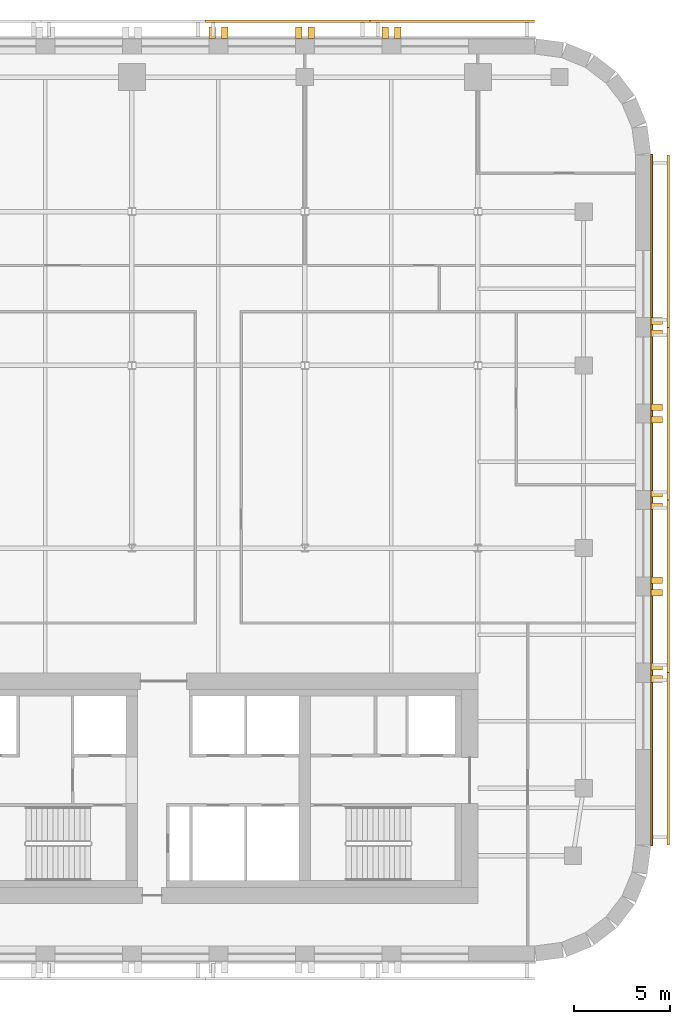
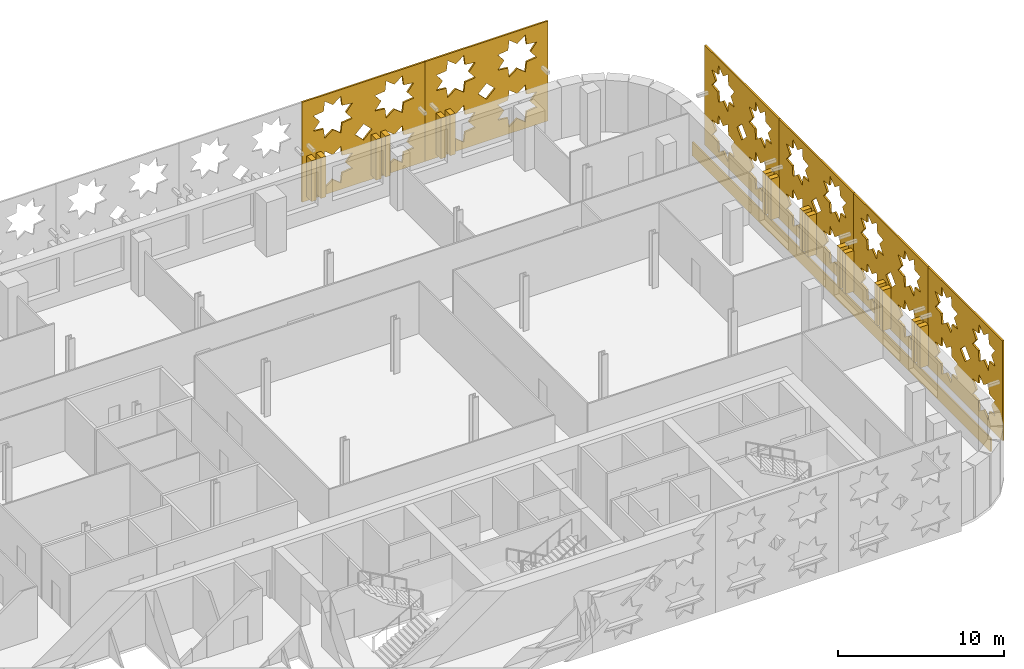
# One storey, part 13 of 13: 23 coverings.
"""IFC4 building model written with IfcOpenShell, lengths in metres."""

from ifc_helpers import new_model, si_unit, direction, frame, origin, place, context, subcontext, project, spatial, polyline, outline, extrude, material, layer, layer_set, type_object, element, save


model = new_model("IFC4")

# Units and contexts
model_context = context("Model", 3, precision=1e-05, world=origin(), true_north=direction((0.0, 1.0)))
body_context = subcontext(model_context, "Body", "Model", "MODEL_VIEW")
ifc_project = project(units=[si_unit("LENGTHUNIT", "METRE"), si_unit("AREAUNIT", "SQUARE_METRE"), si_unit("VOLUMEUNIT", "CUBIC_METRE"), si_unit("PLANEANGLEUNIT", "RADIAN"), si_unit("MASSUNIT", "GRAM", prefix="KILO")], contexts=[model_context])

# Site, building, storey
site_placement = place(None, origin())
site = spatial("IfcSite", under=ifc_project, at=site_placement, CompositionType="ELEMENT")
building_placement = place(site_placement, origin())
building = spatial("IfcBuilding", under=site, at=building_placement, Name="Zellij Exchange Tower", CompositionType="ELEMENT")
storey_placement = place(building_placement, frame((0.0, 0.0, 172.5)))
storey = spatial("IfcBuildingStorey", under=building, at=storey_placement, Name="L39", CompositionType="ELEMENT", Elevation=172.5)

# Coverings
ifc_material_1 = material(Name="Limestone cladding", Category="masonry")
covering_type_1 = type_object("IfcCoveringType", Name="ENV-CV3 Stone pier 350x600", PredefinedType="CLADDING", material=ifc_material_1)
covering_1_placement = place(storey_placement, frame((0.0, 0.0, 0.800048828125)))
element("IfcCovering", 1, at=covering_1_placement, inside=storey, type_object=covering_type_1, Name="Stone pier", PredefinedType="CLADDING", context=body_context, shape_type="SweptSolid", body=[
    extrude(outline(polyline([(36.0, -2.48681640625), (36.0, -2.136962890625), (36.60009765625, -2.136962890625), (36.60009765625, -2.48681640625), (36.0, -2.48681640625)])), origin(), (0.0, 0.0, 1.0), 3.0),
])
covering_2_placement = place(storey_placement, frame((0.0, 0.0, 0.800048828125)))
element("IfcCovering", 2, at=covering_2_placement, inside=storey, type_object=covering_type_1, Name="Stone pier", PredefinedType="CLADDING", context=body_context, shape_type="SweptSolid", body=[
    extrude(outline(polyline([(36.0, -1.8369140625), (36.0, -1.48681640625), (36.60009765625, -1.48681640625), (36.60009765625, -1.8369140625), (36.0, -1.8369140625)])), origin(), (0.0, 0.0, 1.0), 3.0),
])
covering_3_placement = place(storey_placement, frame((0.0, 0.0, 0.800048828125)))
element("IfcCovering", 3, at=covering_3_placement, inside=storey, type_object=covering_type_1, Name="Stone pier", PredefinedType="CLADDING", context=body_context, shape_type="SweptSolid", body=[
    extrude(outline(polyline([(36.0, 2.006591796875), (36.0, 2.3564453125), (36.60009765625, 2.3564453125), (36.60009765625, 2.006591796875), (36.0, 2.006591796875)])), origin(), (0.0, 0.0, 1.0), 3.0),
])
covering_4_placement = place(storey_placement, frame((0.0, 0.0, 0.800048828125)))
element("IfcCovering", 4, at=covering_4_placement, inside=storey, type_object=covering_type_1, Name="Stone pier", PredefinedType="CLADDING", context=body_context, shape_type="SweptSolid", body=[
    extrude(outline(polyline([(36.0, 2.656494140625), (36.0, 3.006591796875), (36.60009765625, 3.006591796875), (36.60009765625, 2.656494140625), (36.0, 2.656494140625)])), origin(), (0.0, 0.0, 1.0), 3.0),
])
covering_5_placement = place(storey_placement, frame((0.0, 0.0, 0.800048828125)))
element("IfcCovering", 5, at=covering_5_placement, inside=storey, type_object=covering_type_1, Name="Stone pier", PredefinedType="CLADDING", context=body_context, shape_type="SweptSolid", body=[
    extrude(outline(polyline([(36.0, 6.5), (36.0, 6.85009765625), (36.60009765625, 6.85009765625), (36.60009765625, 6.5), (36.0, 6.5)])), origin(), (0.0, 0.0, 1.0), 3.0),
])
covering_6_placement = place(storey_placement, frame((0.0, 0.0, 0.800048828125)))
element("IfcCovering", 6, at=covering_6_placement, inside=storey, type_object=covering_type_1, Name="Stone pier", PredefinedType="CLADDING", context=body_context, shape_type="SweptSolid", body=[
    extrude(outline(polyline([(36.0, 7.14990234375), (36.0, 7.5), (36.60009765625, 7.5), (36.60009765625, 7.14990234375), (36.0, 7.14990234375)])), origin(), (0.0, 0.0, 1.0), 3.0),
])
covering_7_placement = place(storey_placement, frame((0.0, 0.0, 0.800048828125)))
element("IfcCovering", 7, at=covering_7_placement, inside=storey, type_object=covering_type_1, Name="Stone pier", PredefinedType="CLADDING", context=body_context, shape_type="SweptSolid", body=[
    extrude(outline(polyline([(36.0, 10.993408203125), (36.0, 11.343505859375), (36.60009765625, 11.343505859375), (36.60009765625, 10.993408203125), (36.0, 10.993408203125)])), origin(), (0.0, 0.0, 1.0), 3.0),
])
covering_8_placement = place(storey_placement, frame((0.0, 0.0, 0.800048828125)))
element("IfcCovering", 8, at=covering_8_placement, inside=storey, type_object=covering_type_1, Name="Stone pier", PredefinedType="CLADDING", context=body_context, shape_type="SweptSolid", body=[
    extrude(outline(polyline([(36.0, 11.643310546875), (36.0, 11.993408203125), (36.60009765625, 11.993408203125), (36.60009765625, 11.643310546875), (36.0, 11.643310546875)])), origin(), (0.0, 0.0, 1.0), 3.0),
])
covering_9_placement = place(storey_placement, frame((0.0, 0.0, 0.800048828125)))
element("IfcCovering", 9, at=covering_9_placement, inside=storey, type_object=covering_type_1, Name="Stone pier", PredefinedType="CLADDING", context=body_context, shape_type="SweptSolid", body=[
    extrude(outline(polyline([(36.0, 15.48681640625), (36.0, 15.8369140625), (36.60009765625, 15.8369140625), (36.60009765625, 15.48681640625), (36.0, 15.48681640625)])), origin(), (0.0, 0.0, 1.0), 3.0),
])
covering_10_placement = place(storey_placement, frame((0.0, 0.0, 0.800048828125)))
element("IfcCovering", 10, at=covering_10_placement, inside=storey, type_object=covering_type_1, Name="Stone pier", PredefinedType="CLADDING", context=body_context, shape_type="SweptSolid", body=[
    extrude(outline(polyline([(36.0, 16.136962890625), (36.0, 16.48681640625), (36.60009765625, 16.48681640625), (36.60009765625, 16.136962890625), (36.0, 16.136962890625)])), origin(), (0.0, 0.0, 1.0), 3.0),
])
covering_11_placement = place(storey_placement, frame((0.0, 0.0, 0.800048828125)))
element("IfcCovering", 11, at=covering_11_placement, inside=storey, type_object=covering_type_1, Name="Stone pier", PredefinedType="CLADDING", context=body_context, shape_type="SweptSolid", body=[
    extrude(outline(polyline([(23.0, 31.0), (22.64990234375, 31.0), (22.64990234375, 31.60009765625), (23.0, 31.60009765625), (23.0, 31.0)])), origin(), (0.0, 0.0, 1.0), 3.0),
])
covering_12_placement = place(storey_placement, frame((0.0, 0.0, 0.800048828125)))
element("IfcCovering", 12, at=covering_12_placement, inside=storey, type_object=covering_type_1, Name="Stone pier", PredefinedType="CLADDING", context=body_context, shape_type="SweptSolid", body=[
    extrude(outline(polyline([(22.35009765625, 31.0), (22.0, 31.0), (22.0, 31.60009765625), (22.35009765625, 31.60009765625), (22.35009765625, 31.0)])), origin(), (0.0, 0.0, 1.0), 3.0),
])
covering_13_placement = place(storey_placement, frame((0.0, 0.0, 0.800048828125)))
element("IfcCovering", 13, at=covering_13_placement, inside=storey, type_object=covering_type_1, Name="Stone pier", PredefinedType="CLADDING", context=body_context, shape_type="SweptSolid", body=[
    extrude(outline(polyline([(18.5, 31.0), (18.14990234375, 31.0), (18.14990234375, 31.60009765625), (18.5, 31.60009765625), (18.5, 31.0)])), origin(), (0.0, 0.0, 1.0), 3.0),
])
covering_14_placement = place(storey_placement, frame((0.0, 0.0, 0.800048828125)))
element("IfcCovering", 14, at=covering_14_placement, inside=storey, type_object=covering_type_1, Name="Stone pier", PredefinedType="CLADDING", context=body_context, shape_type="SweptSolid", body=[
    extrude(outline(polyline([(17.85009765625, 31.0), (17.5, 31.0), (17.5, 31.60009765625), (17.85009765625, 31.60009765625), (17.85009765625, 31.0)])), origin(), (0.0, 0.0, 1.0), 3.0),
])
covering_15_placement = place(storey_placement, frame((0.0, 0.0, 0.800048828125)))
element("IfcCovering", 15, at=covering_15_placement, inside=storey, type_object=covering_type_1, Name="Stone pier", PredefinedType="CLADDING", context=body_context, shape_type="SweptSolid", body=[
    extrude(outline(polyline([(14.0, 31.0), (13.64990234375, 31.0), (13.64990234375, 31.60009765625), (14.0, 31.60009765625), (14.0, 31.0)])), origin(), (0.0, 0.0, 1.0), 3.0),
])
covering_16_placement = place(storey_placement, frame((0.0, 0.0, 0.800048828125)))
element("IfcCovering", 16, at=covering_16_placement, inside=storey, type_object=covering_type_1, Name="Stone pier", PredefinedType="CLADDING", context=body_context, shape_type="SweptSolid", body=[
    extrude(outline(polyline([(13.35009765625, 31.0), (13.0, 31.0), (13.0, 31.60009765625), (13.35009765625, 31.60009765625), (13.35009765625, 31.0)])), origin(), (0.0, 0.0, 1.0), 3.0),
])
ifc_layer_1 = layer(ifc_material_1, 0.10009765625)
ifc_layer_set_1 = layer_set([ifc_layer_1], Name="Limestone cladding")
covering_type_2 = type_object("IfcCoveringType", Name="ENV-CV9 Stone spandrel band 100", PredefinedType="CLADDING", material=ifc_layer_set_1)
covering_17_placement = place(storey_placement, frame((0.0, 0.0, -0.199951171875)))
element("IfcCovering", 17, at=covering_17_placement, inside=storey, type_object=covering_type_2, Name="Stone spandrel band", PredefinedType="CLADDING", context=body_context, shape_type="SweptSolid", body=[
    extrude(outline(polyline([(36.0, -10.973876953125), (36.0, 24.973876953125), (36.10009765625, 24.980224609375), (36.10009765625, -10.980224609375), (36.0, -10.973876953125)])), origin(), (0.0, 0.0, 1.0), 1.0),
])
ifc_material_2 = material(Name="Limestone screen", Category="masonry")
ifc_layer_2 = layer(ifc_material_2, 0.1201171875)
ifc_layer_set_2 = layer_set([ifc_layer_2], Name="Limestone screen")
covering_type_3 = type_object("IfcCoveringType", Name="ENV-SC1 Pierced stone screen 120", PredefinedType="USERDEFINED", material=ifc_layer_set_2)
covering_18_placement = place(storey_placement, frame((29.947509765625, 31.909912109375, 0.300048828125), z_axis=(0.0, 0.0, 1.0), x_axis=(-1.0, 0.0, 0.0)))
element("IfcCovering", 18, at=covering_18_placement, inside=storey, type_object=covering_type_3, Name="Pierced stone screen", ObjectType="SCREEN", PredefinedType="USERDEFINED", context=body_context, shape_type="SweptSolid", body=[
    extrude(outline(polyline([(0.0, 0.0), (8.556396484375, 0.0), (8.556396484375, 7.35009765625), (0.0, 7.35009765625), (0.0, 0.0)]), holes=[polyline([(3.497314453125, 2.39990234375), (2.78369140625, 2.48193359375), (2.70166015625, 3.195556640625), (2.13916015625, 2.748779296875), (1.57666015625, 3.195556640625), (1.49462890625, 2.48193359375), (0.781005859375, 2.39990234375), (1.227783203125, 1.83740234375), (0.781005859375, 1.27490234375), (1.49462890625, 1.193115234375), (1.57666015625, 0.4794921875), (2.13916015625, 0.926025390625), (2.70166015625, 0.4794921875), (2.78369140625, 1.193115234375), (3.497314453125, 1.27490234375), (3.050537109375, 1.83740234375), (3.497314453125, 2.39990234375)]), polyline([(3.497314453125, 6.074951171875), (2.78369140625, 6.156982421875), (2.70166015625, 6.87060546875), (2.13916015625, 6.423828125), (1.57666015625, 6.87060546875), (1.49462890625, 6.156982421875), (0.781005859375, 6.074951171875), (1.227783203125, 5.512451171875), (0.781005859375, 4.949951171875), (1.49462890625, 4.867919921875), (1.57666015625, 4.154296875), (2.13916015625, 4.60107421875), (2.70166015625, 4.154296875), (2.78369140625, 4.867919921875), (3.497314453125, 4.949951171875), (3.050537109375, 5.512451171875), (3.497314453125, 6.074951171875)]), polyline([(7.775390625, 2.39990234375), (7.061767578125, 2.48193359375), (6.97998046875, 3.195556640625), (6.417236328125, 2.748779296875), (5.854736328125, 3.195556640625), (5.77294921875, 2.48193359375), (5.05908203125, 2.39990234375), (5.505859375, 1.83740234375), (5.05908203125, 1.27490234375), (5.77294921875, 1.193115234375), (5.854736328125, 0.4794921875), (6.417236328125, 0.926025390625), (6.97998046875, 0.4794921875), (7.061767578125, 1.193115234375), (7.775390625, 1.27490234375), (7.32861328125, 1.83740234375), (7.775390625, 2.39990234375)]), polyline([(7.775390625, 6.074951171875), (7.061767578125, 6.156982421875), (6.97998046875, 6.87060546875), (6.417236328125, 6.423828125), (5.854736328125, 6.87060546875), (5.77294921875, 6.156982421875), (5.05908203125, 6.074951171875), (5.505859375, 5.512451171875), (5.05908203125, 4.949951171875), (5.77294921875, 4.867919921875), (5.854736328125, 4.154296875), (6.417236328125, 4.60107421875), (6.97998046875, 4.154296875), (7.061767578125, 4.867919921875), (7.775390625, 4.949951171875), (7.32861328125, 5.512451171875), (7.775390625, 6.074951171875)]), polyline([(4.8662109375, 3.675048828125), (4.2783203125, 4.262939453125), (3.690185546875, 3.675048828125), (4.2783203125, 3.0869140625), (4.8662109375, 3.675048828125)])]), frame((0.0, 0.06005859375, 0.0), z_axis=(0.0, -1.0, 0.0), x_axis=(1.0, 0.0, 0.0)), (0.0, 0.0, 1.0), 0.1201171875),
])
covering_19_placement = place(storey_placement, frame((21.39111328125, 31.909912109375, 0.300048828125), z_axis=(0.0, 0.0, 1.0), x_axis=(-1.0, 0.0, 0.0)))
element("IfcCovering", 19, at=covering_19_placement, inside=storey, type_object=covering_type_3, Name="Pierced stone screen", ObjectType="SCREEN", PredefinedType="USERDEFINED", context=body_context, shape_type="SweptSolid", body=[
    extrude(outline(polyline([(0.0, 0.0), (8.556396484375, 0.0), (8.556396484375, 7.35009765625), (0.0, 7.35009765625), (0.0, 0.0)]), holes=[polyline([(3.497314453125, 2.39990234375), (2.78369140625, 2.48193359375), (2.70166015625, 3.195556640625), (2.13916015625, 2.748779296875), (1.57666015625, 3.195556640625), (1.49462890625, 2.48193359375), (0.781005859375, 2.39990234375), (1.227783203125, 1.83740234375), (0.781005859375, 1.27490234375), (1.49462890625, 1.193115234375), (1.57666015625, 0.4794921875), (2.13916015625, 0.926025390625), (2.70166015625, 0.4794921875), (2.78369140625, 1.193115234375), (3.497314453125, 1.27490234375), (3.050537109375, 1.83740234375), (3.497314453125, 2.39990234375)]), polyline([(3.497314453125, 6.074951171875), (2.78369140625, 6.156982421875), (2.70166015625, 6.87060546875), (2.13916015625, 6.423828125), (1.57666015625, 6.87060546875), (1.49462890625, 6.156982421875), (0.781005859375, 6.074951171875), (1.227783203125, 5.512451171875), (0.781005859375, 4.949951171875), (1.49462890625, 4.867919921875), (1.57666015625, 4.154296875), (2.13916015625, 4.60107421875), (2.70166015625, 4.154296875), (2.78369140625, 4.867919921875), (3.497314453125, 4.949951171875), (3.050537109375, 5.512451171875), (3.497314453125, 6.074951171875)]), polyline([(7.775390625, 2.39990234375), (7.061767578125, 2.48193359375), (6.97998046875, 3.195556640625), (6.417236328125, 2.748779296875), (5.854736328125, 3.195556640625), (5.77294921875, 2.48193359375), (5.05908203125, 2.39990234375), (5.505859375, 1.83740234375), (5.05908203125, 1.27490234375), (5.77294921875, 1.193115234375), (5.854736328125, 0.4794921875), (6.417236328125, 0.926025390625), (6.97998046875, 0.4794921875), (7.061767578125, 1.193115234375), (7.775390625, 1.27490234375), (7.32861328125, 1.83740234375), (7.775390625, 2.39990234375)]), polyline([(7.775390625, 6.074951171875), (7.061767578125, 6.156982421875), (6.97998046875, 6.87060546875), (6.417236328125, 6.423828125), (5.854736328125, 6.87060546875), (5.77294921875, 6.156982421875), (5.05908203125, 6.074951171875), (5.505859375, 5.512451171875), (5.05908203125, 4.949951171875), (5.77294921875, 4.867919921875), (5.854736328125, 4.154296875), (6.417236328125, 4.60107421875), (6.97998046875, 4.154296875), (7.061767578125, 4.867919921875), (7.775390625, 4.949951171875), (7.32861328125, 5.512451171875), (7.775390625, 6.074951171875)]), polyline([(4.8662109375, 3.675048828125), (4.2783203125, 4.262939453125), (3.690185546875, 3.675048828125), (4.2783203125, 3.0869140625), (4.8662109375, 3.675048828125)])]), frame((0.0, 0.06005859375, 0.0), z_axis=(0.0, -1.0, 0.0), x_axis=(1.0, 0.0, 0.0)), (0.0, 0.0, 1.0), 0.1201171875),
])
covering_20_placement = place(storey_placement, frame((36.909912109375, -10.947509765625, 0.300048828125), z_axis=(0.0, 0.0, 1.0), x_axis=(0.0, 1.0, 0.0)))
element("IfcCovering", 20, at=covering_20_placement, inside=storey, type_object=covering_type_3, Name="Pierced stone screen", ObjectType="SCREEN", PredefinedType="USERDEFINED", context=body_context, shape_type="SweptSolid", body=[
    extrude(outline(polyline([(0.0, 0.0), (8.973876953125, 0.0), (8.973876953125, 7.35009765625), (0.0, 7.35009765625), (0.0, 0.0)]), holes=[polyline([(3.6015625, 2.39990234375), (2.887939453125, 2.48193359375), (2.805908203125, 3.195556640625), (2.243408203125, 2.748779296875), (1.680908203125, 3.195556640625), (1.59912109375, 2.48193359375), (0.88525390625, 2.39990234375), (1.33203125, 1.83740234375), (0.88525390625, 1.27490234375), (1.59912109375, 1.193115234375), (1.680908203125, 0.4794921875), (2.243408203125, 0.926025390625), (2.805908203125, 0.4794921875), (2.887939453125, 1.193115234375), (3.6015625, 1.27490234375), (3.15478515625, 1.83740234375), (3.6015625, 2.39990234375)]), polyline([(3.6015625, 6.074951171875), (2.887939453125, 6.156982421875), (2.805908203125, 6.87060546875), (2.243408203125, 6.423828125), (1.680908203125, 6.87060546875), (1.59912109375, 6.156982421875), (0.88525390625, 6.074951171875), (1.33203125, 5.512451171875), (0.88525390625, 4.949951171875), (1.59912109375, 4.867919921875), (1.680908203125, 4.154296875), (2.243408203125, 4.60107421875), (2.805908203125, 4.154296875), (2.887939453125, 4.867919921875), (3.6015625, 4.949951171875), (3.15478515625, 5.512451171875), (3.6015625, 6.074951171875)]), polyline([(8.08837890625, 2.39990234375), (7.374755859375, 2.48193359375), (7.29296875, 3.195556640625), (6.730224609375, 2.748779296875), (6.167724609375, 3.195556640625), (6.0859375, 2.48193359375), (5.372314453125, 2.39990234375), (5.81884765625, 1.83740234375), (5.372314453125, 1.27490234375), (6.0859375, 1.193115234375), (6.167724609375, 0.4794921875), (6.730224609375, 0.926025390625), (7.29296875, 0.4794921875), (7.374755859375, 1.193115234375), (8.08837890625, 1.27490234375), (7.6416015625, 1.83740234375), (8.08837890625, 2.39990234375)]), polyline([(8.08837890625, 6.074951171875), (7.374755859375, 6.156982421875), (7.29296875, 6.87060546875), (6.730224609375, 6.423828125), (6.167724609375, 6.87060546875), (6.0859375, 6.156982421875), (5.372314453125, 6.074951171875), (5.81884765625, 5.512451171875), (5.372314453125, 4.949951171875), (6.0859375, 4.867919921875), (6.167724609375, 4.154296875), (6.730224609375, 4.60107421875), (7.29296875, 4.154296875), (7.374755859375, 4.867919921875), (8.08837890625, 4.949951171875), (7.6416015625, 5.512451171875), (8.08837890625, 6.074951171875)]), polyline([(5.074951171875, 3.675048828125), (4.48681640625, 4.262939453125), (3.89892578125, 3.675048828125), (4.48681640625, 3.0869140625), (5.074951171875, 3.675048828125)])]), frame((0.0, 0.06005859375, 0.0), z_axis=(0.0, -1.0, 0.0), x_axis=(1.0, 0.0, 0.0)), (0.0, 0.0, 1.0), 0.1201171875),
])
covering_21_placement = place(storey_placement, frame((36.909912109375, -1.973876953125, 0.300048828125), z_axis=(0.0, 0.0, 1.0), x_axis=(0.0, 1.0, 0.0)))
element("IfcCovering", 21, at=covering_21_placement, inside=storey, type_object=covering_type_3, Name="Pierced stone screen", ObjectType="SCREEN", PredefinedType="USERDEFINED", context=body_context, shape_type="SweptSolid", body=[
    extrude(outline(polyline([(0.0, 0.0), (8.973876953125, 0.0), (8.973876953125, 7.35009765625), (0.0, 7.35009765625), (0.0, 0.0)]), holes=[polyline([(3.6015625, 2.39990234375), (2.887939453125, 2.48193359375), (2.805908203125, 3.195556640625), (2.243408203125, 2.748779296875), (1.680908203125, 3.195556640625), (1.59912109375, 2.48193359375), (0.88525390625, 2.39990234375), (1.33203125, 1.83740234375), (0.88525390625, 1.27490234375), (1.59912109375, 1.193115234375), (1.680908203125, 0.4794921875), (2.243408203125, 0.926025390625), (2.805908203125, 0.4794921875), (2.887939453125, 1.193115234375), (3.6015625, 1.27490234375), (3.15478515625, 1.83740234375), (3.6015625, 2.39990234375)]), polyline([(3.6015625, 6.074951171875), (2.887939453125, 6.156982421875), (2.805908203125, 6.87060546875), (2.243408203125, 6.423828125), (1.680908203125, 6.87060546875), (1.59912109375, 6.156982421875), (0.88525390625, 6.074951171875), (1.33203125, 5.512451171875), (0.88525390625, 4.949951171875), (1.59912109375, 4.867919921875), (1.680908203125, 4.154296875), (2.243408203125, 4.60107421875), (2.805908203125, 4.154296875), (2.887939453125, 4.867919921875), (3.6015625, 4.949951171875), (3.15478515625, 5.512451171875), (3.6015625, 6.074951171875)]), polyline([(8.08837890625, 2.39990234375), (7.374755859375, 2.48193359375), (7.29296875, 3.195556640625), (6.730224609375, 2.748779296875), (6.167724609375, 3.195556640625), (6.0859375, 2.48193359375), (5.372314453125, 2.39990234375), (5.81884765625, 1.83740234375), (5.372314453125, 1.27490234375), (6.0859375, 1.193115234375), (6.167724609375, 0.4794921875), (6.730224609375, 0.926025390625), (7.29296875, 0.4794921875), (7.374755859375, 1.193115234375), (8.08837890625, 1.27490234375), (7.6416015625, 1.83740234375), (8.08837890625, 2.39990234375)]), polyline([(8.08837890625, 6.074951171875), (7.374755859375, 6.156982421875), (7.29296875, 6.87060546875), (6.730224609375, 6.423828125), (6.167724609375, 6.87060546875), (6.0859375, 6.156982421875), (5.372314453125, 6.074951171875), (5.81884765625, 5.512451171875), (5.372314453125, 4.949951171875), (6.0859375, 4.867919921875), (6.167724609375, 4.154296875), (6.730224609375, 4.60107421875), (7.29296875, 4.154296875), (7.374755859375, 4.867919921875), (8.08837890625, 4.949951171875), (7.6416015625, 5.512451171875), (8.08837890625, 6.074951171875)]), polyline([(5.074951171875, 3.675048828125), (4.48681640625, 4.262939453125), (3.89892578125, 3.675048828125), (4.48681640625, 3.0869140625), (5.074951171875, 3.675048828125)])]), frame((0.0, 0.06005859375, 0.0), z_axis=(0.0, -1.0, 0.0), x_axis=(1.0, 0.0, 0.0)), (0.0, 0.0, 1.0), 0.1201171875),
])
covering_22_placement = place(storey_placement, frame((36.909912109375, 7.0, 0.300048828125), z_axis=(0.0, 0.0, 1.0), x_axis=(0.0, 1.0, 0.0)))
element("IfcCovering", 22, at=covering_22_placement, inside=storey, type_object=covering_type_3, Name="Pierced stone screen", ObjectType="SCREEN", PredefinedType="USERDEFINED", context=body_context, shape_type="SweptSolid", body=[
    extrude(outline(polyline([(0.0, 0.0), (8.973876953125, 0.0), (8.973876953125, 7.35009765625), (0.0, 7.35009765625), (0.0, 0.0)]), holes=[polyline([(3.6015625, 2.39990234375), (2.887939453125, 2.48193359375), (2.805908203125, 3.195556640625), (2.243408203125, 2.748779296875), (1.680908203125, 3.195556640625), (1.59912109375, 2.48193359375), (0.88525390625, 2.39990234375), (1.33203125, 1.83740234375), (0.88525390625, 1.27490234375), (1.59912109375, 1.193115234375), (1.680908203125, 0.4794921875), (2.243408203125, 0.926025390625), (2.805908203125, 0.4794921875), (2.887939453125, 1.193115234375), (3.6015625, 1.27490234375), (3.15478515625, 1.83740234375), (3.6015625, 2.39990234375)]), polyline([(3.6015625, 6.074951171875), (2.887939453125, 6.156982421875), (2.805908203125, 6.87060546875), (2.243408203125, 6.423828125), (1.680908203125, 6.87060546875), (1.59912109375, 6.156982421875), (0.88525390625, 6.074951171875), (1.33203125, 5.512451171875), (0.88525390625, 4.949951171875), (1.59912109375, 4.867919921875), (1.680908203125, 4.154296875), (2.243408203125, 4.60107421875), (2.805908203125, 4.154296875), (2.887939453125, 4.867919921875), (3.6015625, 4.949951171875), (3.15478515625, 5.512451171875), (3.6015625, 6.074951171875)]), polyline([(8.08837890625, 2.39990234375), (7.374755859375, 2.48193359375), (7.29296875, 3.195556640625), (6.730224609375, 2.748779296875), (6.167724609375, 3.195556640625), (6.0859375, 2.48193359375), (5.372314453125, 2.39990234375), (5.81884765625, 1.83740234375), (5.372314453125, 1.27490234375), (6.0859375, 1.193115234375), (6.167724609375, 0.4794921875), (6.730224609375, 0.926025390625), (7.29296875, 0.4794921875), (7.374755859375, 1.193115234375), (8.08837890625, 1.27490234375), (7.6416015625, 1.83740234375), (8.08837890625, 2.39990234375)]), polyline([(8.08837890625, 6.074951171875), (7.374755859375, 6.156982421875), (7.29296875, 6.87060546875), (6.730224609375, 6.423828125), (6.167724609375, 6.87060546875), (6.0859375, 6.156982421875), (5.372314453125, 6.074951171875), (5.81884765625, 5.512451171875), (5.372314453125, 4.949951171875), (6.0859375, 4.867919921875), (6.167724609375, 4.154296875), (6.730224609375, 4.60107421875), (7.29296875, 4.154296875), (7.374755859375, 4.867919921875), (8.08837890625, 4.949951171875), (7.6416015625, 5.512451171875), (8.08837890625, 6.074951171875)]), polyline([(5.074951171875, 3.675048828125), (4.48681640625, 4.262939453125), (3.89892578125, 3.675048828125), (4.48681640625, 3.0869140625), (5.074951171875, 3.675048828125)])]), frame((0.0, 0.06005859375, 0.0), z_axis=(0.0, -1.0, 0.0), x_axis=(1.0, 0.0, 0.0)), (0.0, 0.0, 1.0), 0.1201171875),
])
covering_23_placement = place(storey_placement, frame((36.909912109375, 15.973876953125, 0.300048828125), z_axis=(0.0, 0.0, 1.0), x_axis=(0.0, 1.0, 0.0)))
element("IfcCovering", 23, at=covering_23_placement, inside=storey, type_object=covering_type_3, Name="Pierced stone screen", ObjectType="SCREEN", PredefinedType="USERDEFINED", context=body_context, shape_type="SweptSolid", body=[
    extrude(outline(polyline([(0.0, 0.0), (8.973876953125, 0.0), (8.973876953125, 7.35009765625), (0.0, 7.35009765625), (0.0, 0.0)]), holes=[polyline([(3.6015625, 2.39990234375), (2.887939453125, 2.48193359375), (2.805908203125, 3.195556640625), (2.243408203125, 2.748779296875), (1.680908203125, 3.195556640625), (1.59912109375, 2.48193359375), (0.88525390625, 2.39990234375), (1.33203125, 1.83740234375), (0.88525390625, 1.27490234375), (1.59912109375, 1.193115234375), (1.680908203125, 0.4794921875), (2.243408203125, 0.926025390625), (2.805908203125, 0.4794921875), (2.887939453125, 1.193115234375), (3.6015625, 1.27490234375), (3.15478515625, 1.83740234375), (3.6015625, 2.39990234375)]), polyline([(3.6015625, 6.074951171875), (2.887939453125, 6.156982421875), (2.805908203125, 6.87060546875), (2.243408203125, 6.423828125), (1.680908203125, 6.87060546875), (1.59912109375, 6.156982421875), (0.88525390625, 6.074951171875), (1.33203125, 5.512451171875), (0.88525390625, 4.949951171875), (1.59912109375, 4.867919921875), (1.680908203125, 4.154296875), (2.243408203125, 4.60107421875), (2.805908203125, 4.154296875), (2.887939453125, 4.867919921875), (3.6015625, 4.949951171875), (3.15478515625, 5.512451171875), (3.6015625, 6.074951171875)]), polyline([(8.08837890625, 2.39990234375), (7.374755859375, 2.48193359375), (7.29296875, 3.195556640625), (6.730224609375, 2.748779296875), (6.167724609375, 3.195556640625), (6.0859375, 2.48193359375), (5.372314453125, 2.39990234375), (5.81884765625, 1.83740234375), (5.372314453125, 1.27490234375), (6.0859375, 1.193115234375), (6.167724609375, 0.4794921875), (6.730224609375, 0.926025390625), (7.29296875, 0.4794921875), (7.374755859375, 1.193115234375), (8.08837890625, 1.27490234375), (7.6416015625, 1.83740234375), (8.08837890625, 2.39990234375)]), polyline([(8.08837890625, 6.074951171875), (7.374755859375, 6.156982421875), (7.29296875, 6.87060546875), (6.730224609375, 6.423828125), (6.167724609375, 6.87060546875), (6.0859375, 6.156982421875), (5.372314453125, 6.074951171875), (5.81884765625, 5.512451171875), (5.372314453125, 4.949951171875), (6.0859375, 4.867919921875), (6.167724609375, 4.154296875), (6.730224609375, 4.60107421875), (7.29296875, 4.154296875), (7.374755859375, 4.867919921875), (8.08837890625, 4.949951171875), (7.6416015625, 5.512451171875), (8.08837890625, 6.074951171875)]), polyline([(5.074951171875, 3.675048828125), (4.48681640625, 4.262939453125), (3.89892578125, 3.675048828125), (4.48681640625, 3.0869140625), (5.074951171875, 3.675048828125)])]), frame((0.0, 0.06005859375, 0.0), z_axis=(0.0, -1.0, 0.0), x_axis=(1.0, 0.0, 0.0)), (0.0, 0.0, 1.0), 0.1201171875),
])

save(model, "model.ifc")
